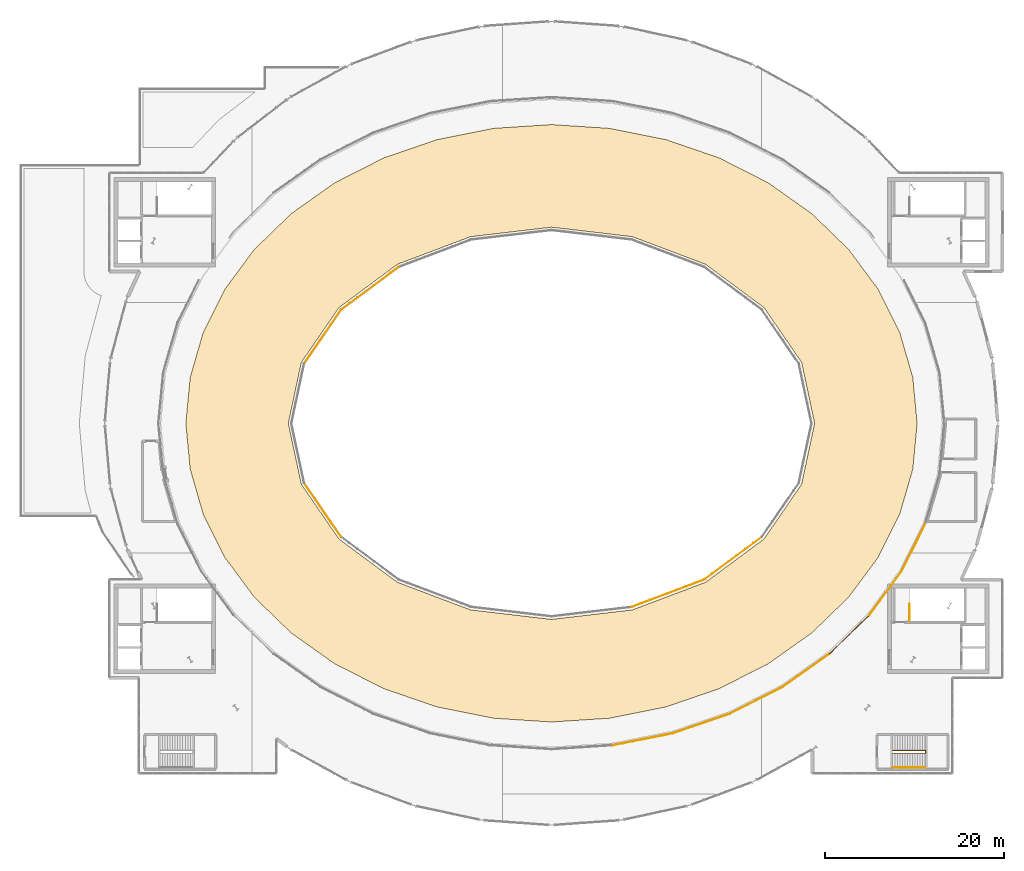
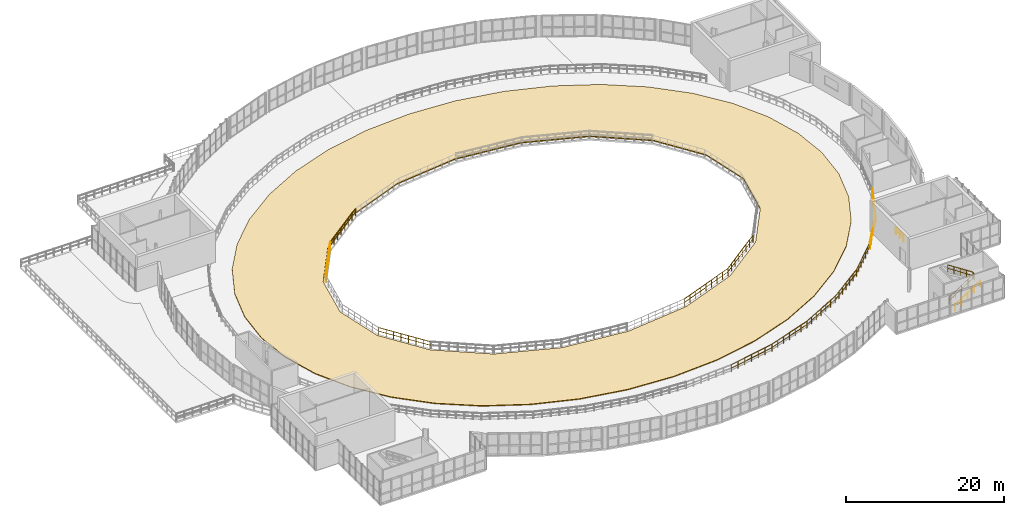
# One storey, part 37 of 40: 15 railings, 1 covering.
"""IFC4 building model written with IfcOpenShell, lengths in metres."""

from ifc_helpers import new_model, si_unit, direction, frame, origin, origin_2d, place, context, subcontext, project, spatial, polyline, circle, outline, extrude, material, layer, layer_set, type_object, element, save


model = new_model("IFC4")

# Units and contexts
model_context = context("Model", 3, precision=1e-05, world=origin(), true_north=direction((0.0, 1.0)))
body_context = subcontext(model_context, "Body", "Model", "MODEL_VIEW")
ifc_project = project(units=[si_unit("LENGTHUNIT", "METRE"), si_unit("AREAUNIT", "SQUARE_METRE"), si_unit("VOLUMEUNIT", "CUBIC_METRE"), si_unit("PLANEANGLEUNIT", "RADIAN"), si_unit("MASSUNIT", "GRAM", prefix="KILO")], contexts=[model_context])

# Site, building, storey
site_placement = place(None, origin())
site = spatial("IfcSite", under=ifc_project, at=site_placement, CompositionType="ELEMENT")
building_placement = place(site_placement, origin())
building = spatial("IfcBuilding", under=site, at=building_placement, Name="Glasvene Arena", CompositionType="ELEMENT")
storey_placement = place(building_placement, frame((0.0, 0.0, 24.0)))
storey = spatial("IfcBuildingStorey", under=building, at=storey_placement, Name="L05", CompositionType="ELEMENT", Elevation=24.0)

# Covering
ifc_material_1 = material(Name="Planted sedum green roof substrate")
ifc_layer = layer(ifc_material_1, 0.1201171875)
ifc_layer_set = layer_set([ifc_layer], Name="Planted sedum green roof substrate")
covering_type = type_object("IfcCoveringType", Name="COV-ROOF-SEDUM", PredefinedType="ROOFING", material=ifc_layer_set)
covering_placement = place(storey_placement, frame((92.0, 73.0, 0.0)))
element("IfcCovering", 1, at=covering_placement, inside=storey, type_object=covering_type, Name="Planted limestone terrace sedum bed TR-L05-STEP4-1-09", PredefinedType="ROOFING", context=body_context, shape_type="SweptSolid", body=[
    extrude(outline(polyline([(40.937255859375, 0.0), (40.44873046875, -5.142578125), (38.990966796875, -10.17529296875), (36.58740234375, -14.984375), (33.282470703125, -19.4541015625), (29.144775390625, -23.468994140625), (24.2685546875, -26.920654296875), (18.771484375, -29.71240234375), (12.790771484375, -31.765625), (6.4794921875, -33.021240234375), (0.0, -33.44384765625), (-6.4794921875, -33.021240234375), (-12.790771484375, -31.765625), (-18.771484375, -29.71240234375), (-24.2685546875, -26.920654296875), (-29.144775390625, -23.468994140625), (-33.282470703125, -19.4541015625), (-36.58740234375, -14.984375), (-38.990966796875, -10.17529296875), (-40.44873046875, -5.142578125), (-40.937255859375, 0.0), (-40.44873046875, 5.142578125), (-38.990966796875, 10.17529296875), (-36.58740234375, 14.984375), (-33.282470703125, 19.4541015625), (-29.144775390625, 23.468994140625), (-24.2685546875, 26.920654296875), (-18.771484375, 29.71240234375), (-12.790771484375, 31.765625), (-6.4794921875, 33.021240234375), (0.0, 33.44384765625), (6.4794921875, 33.021240234375), (12.790771484375, 31.765625), (18.771484375, 29.71240234375), (24.2685546875, 26.920654296875), (29.144775390625, 23.468994140625), (33.282470703125, 19.4541015625), (36.58740234375, 14.984375), (38.990966796875, 10.17529296875), (40.44873046875, 5.142578125), (40.937255859375, 0.0)]), holes=[polyline([(17.313720703125, 17.75537109375), (17.279296875, 17.778564453125), (17.242919921875, 17.79833984375), (17.204833984375, 17.81494140625), (9.12060546875, 20.86865234375), (9.068115234375, 20.885009765625), (9.013916015625, 20.89453125), (0.052490234375, 21.947021484375), (0.0, 21.949951171875), (-0.052490234375, 21.947021484375), (-9.013916015625, 20.89453125), (-9.068115234375, 20.885009765625), (-9.12060546875, 20.86865234375), (-17.204833984375, 17.81494140625), (-17.242919921875, 17.79833984375), (-17.279296875, 17.778564453125), (-17.313720703125, 17.75537109375), (-23.7294921875, 12.998779296875), (-23.767578125, 12.96728515625), (-23.802001953125, 12.931396484375), (-23.83251953125, 12.892333984375), (-27.951416015625, 6.898681640625), (-27.974609375, 6.861328125), (-27.993896484375, 6.82177734375), (-28.009521484375, 6.780517578125), (-28.020751953125, 6.73779296875), (-29.440185546875, 0.093994140625), (-29.447509765625, 0.04736328125), (-29.449951171875, 0.0), (-29.447509765625, -0.04736328125), (-29.440185546875, -0.093994140625), (-28.020751953125, -6.73779296875), (-28.009521484375, -6.780517578125), (-27.993896484375, -6.82177734375), (-27.974609375, -6.861328125), (-27.951416015625, -6.898681640625), (-23.83251953125, -12.892333984375), (-23.802001953125, -12.931396484375), (-23.767578125, -12.96728515625), (-23.7294921875, -12.998779296875), (-17.313720703125, -17.75537109375), (-17.279296875, -17.778564453125), (-17.242919921875, -17.79833984375), (-17.204833984375, -17.81494140625), (-9.12060546875, -20.86865234375), (-9.068115234375, -20.885009765625), (-9.013916015625, -20.89453125), (-0.052490234375, -21.947021484375), (0.0, -21.949951171875), (0.052490234375, -21.947021484375), (9.013916015625, -20.89453125), (9.068115234375, -20.885009765625), (9.12060546875, -20.86865234375), (17.204833984375, -17.81494140625), (17.242919921875, -17.79833984375), (17.279296875, -17.778564453125), (17.313720703125, -17.75537109375), (23.7294921875, -12.998779296875), (23.767578125, -12.96728515625), (23.802001953125, -12.931396484375), (23.83251953125, -12.892333984375), (27.951416015625, -6.898681640625), (27.974609375, -6.861328125), (27.993896484375, -6.82177734375), (28.009521484375, -6.780517578125), (28.020751953125, -6.73779296875), (29.440185546875, -0.093994140625), (29.447509765625, -0.04736328125), (29.449951171875, 0.0), (29.447509765625, 0.04736328125), (29.440185546875, 0.093994140625), (28.020751953125, 6.73779296875), (28.009521484375, 6.780517578125), (27.993896484375, 6.82177734375), (27.974609375, 6.861328125), (27.951416015625, 6.898681640625), (23.83251953125, 12.892333984375), (23.802001953125, 12.931396484375), (23.767578125, 12.96728515625), (23.7294921875, 12.998779296875), (17.313720703125, 17.75537109375)])]), origin(), (0.0, 0.0, 1.0), 0.1201171875),
])

# Railings
ifc_material_2 = material(Name="Brushed stainless steel", Category="steel")
railing_type_1 = type_object("IfcRailingType", Name="RL-GUARD-1100", PredefinedType="GUARDRAIL", material=ifc_material_2)
railing_1_placement = place(storey_placement, frame((132.10009765625, 50.85009765625, 0.0)))
element("IfcRailing", 2, at=railing_1_placement, inside=storey, type_object=railing_type_1, Name="Stair top landing well guard ST-04", PredefinedType="GUARDRAIL", context=body_context, shape_type="SweptSolid", body=[
    extrude(circle(Radius=0.02392578125, at=origin_2d()), frame((0.0, 0.0, 1.076171875), z_axis=(0.0, 1.0, 0.0), x_axis=(-1.0, 0.0, 0.0)), (0.0, 0.0, 1.0), 1.949951171875),
    extrude(circle(Radius=0.01611328125, at=origin_2d()), frame((0.0, 0.0, 0.550048828125), z_axis=(0.0, 1.0, 0.0), x_axis=(-1.0, 0.0, 0.0)), (0.0, 0.0, 1.0), 1.949951171875),
    extrude(circle(Radius=0.02099609375, at=origin_2d()), origin(), (0.0, 0.0, 1.0), 1.052001953125),
    extrude(circle(Radius=0.02099609375, at=origin_2d()), frame((0.0, 0.97509765625, 0.0)), (0.0, 0.0, 1.0), 1.052001953125),
    extrude(circle(Radius=0.02099609375, at=origin_2d()), frame((0.0, 1.949951171875, 0.0)), (0.0, 0.0, 1.0), 1.052001953125),
])
railing_2_placement = place(storey_placement, frame((130.199951171875, 36.06005859375, 0.0)))
element("IfcRailing", 3, at=railing_2_placement, inside=storey, type_object=railing_type_1, Name="Stair inner well continuous guardrail ST-06-L05", PredefinedType="GUARDRAIL", context=body_context, shape_type="SweptSolid", body=[
    extrude(circle(Radius=0.02392578125, at=origin_2d()), frame((0.0, 0.0, 1.076171875), z_axis=(0.837616124378, 0.0, 0.546259304892), x_axis=(0.0, 1.0, 0.0)), (0.0, 0.0, 1.0), 4.393310546875),
    extrude(circle(Radius=0.01611328125, at=origin_2d()), frame((0.0, 0.0, 0.550048828125), z_axis=(0.837616124378, 0.0, 0.546259304892), x_axis=(0.0, 1.0, 0.0)), (0.0, 0.0, 1.0), 4.393310546875),
    extrude(circle(Radius=0.02392578125, at=origin_2d()), frame((3.679931640625, 0.0, 3.47607421875), z_axis=(0.0, 1.0, 0.0), x_axis=(-1.0, 0.0, 0.0)), (0.0, 0.0, 1.0), 0.329833984375),
    extrude(circle(Radius=0.01611328125, at=origin_2d()), frame((3.679931640625, 0.0, 2.949951171875), z_axis=(0.0, 1.0, 0.0), x_axis=(-1.0, 0.0, 0.0)), (0.0, 0.0, 1.0), 0.329833984375),
    extrude(circle(Radius=0.02392578125, at=origin_2d()), frame((3.679931640625, 0.329833984375, 3.47607421875), z_axis=(-0.837590697589, 0.0, 0.546298291515), x_axis=(0.0, -1.0, 0.0)), (0.0, 0.0, 1.0), 4.3935546875),
    extrude(circle(Radius=0.01611328125, at=origin_2d()), frame((3.679931640625, 0.329833984375, 2.949951171875), z_axis=(-0.837590697589, 0.0, 0.546298291515), x_axis=(0.0, -1.0, 0.0)), (0.0, 0.0, 1.0), 4.3935546875),
    extrude(circle(Radius=0.02099609375, at=origin_2d()), origin(), (0.0, 0.0, 1.0), 1.052001953125),
    extrude(circle(Radius=0.02099609375, at=origin_2d()), frame((0.919921875, 0.0, 0.60009765625)), (0.0, 0.0, 1.0), 1.052001953125),
    extrude(circle(Radius=0.02099609375, at=origin_2d()), frame((1.83984375, 0.0, 1.199951171875)), (0.0, 0.0, 1.0), 1.052001953125),
    extrude(circle(Radius=0.02099609375, at=origin_2d()), frame((2.760009765625, 0.0, 1.7998046875)), (0.0, 0.0, 1.0), 1.052001953125),
    extrude(circle(Radius=0.02099609375, at=origin_2d()), frame((3.679931640625, 0.0, 2.39990234375)), (0.0, 0.0, 1.0), 1.052001953125),
    extrude(circle(Radius=0.02099609375, at=origin_2d()), frame((3.679931640625, 0.329833984375, 2.39990234375)), (0.0, 0.0, 1.0), 1.052001953125),
    extrude(circle(Radius=0.02099609375, at=origin_2d()), frame((2.760009765625, 0.329833984375, 3.0)), (0.0, 0.0, 1.0), 1.052001953125),
    extrude(circle(Radius=0.02099609375, at=origin_2d()), frame((1.83984375, 0.329833984375, 3.60009765625)), (0.0, 0.0, 1.0), 1.052001953125),
    extrude(circle(Radius=0.02099609375, at=origin_2d()), frame((0.919921875, 0.329833984375, 4.199951171875)), (0.0, 0.0, 1.0), 1.052001953125),
    extrude(circle(Radius=0.02099609375, at=origin_2d()), frame((0.0, 0.329833984375, 4.800048828125)), (0.0, 0.0, 1.0), 1.052001953125),
])
railing_3_placement = place(storey_placement, frame((98.883056640625, 36.949462890625, 0.0)))
element("IfcRailing", 4, at=railing_3_placement, inside=storey, type_object=railing_type_1, Name="Safety guardrail GD-GND-L05-3-015", PredefinedType="GUARDRAIL", context=body_context, shape_type="SweptSolid", body=[
    extrude(circle(Radius=0.02392578125, at=origin_2d()), frame((0.0, 0.0, 1.076171875), z_axis=(0.980743570612, 0.195299894275, 0.0), x_axis=(-0.195299894275, 0.980743570612, 0.0)), (0.0, 0.0, 1.0), 6.845458984375),
    extrude(circle(Radius=0.01611328125, at=origin_2d()), frame((0.0, 0.0, 0.550048828125), z_axis=(0.980743570612, 0.195299894275, 0.0), x_axis=(-0.195299894275, 0.980743570612, 0.0)), (0.0, 0.0, 1.0), 6.845458984375),
    extrude(circle(Radius=0.02099609375, at=origin_2d()), origin(), (0.0, 0.0, 1.0), 1.052001953125),
    extrude(circle(Radius=0.02099609375, at=origin_2d()), frame((1.118896484375, 0.222900390625, 0.0)), (0.0, 0.0, 1.0), 1.052001953125),
    extrude(circle(Radius=0.02099609375, at=origin_2d()), frame((2.23779296875, 0.445556640625, 0.0)), (0.0, 0.0, 1.0), 1.052001953125),
    extrude(circle(Radius=0.02099609375, at=origin_2d()), frame((3.35693359375, 0.66845703125, 0.0)), (0.0, 0.0, 1.0), 1.052001953125),
    extrude(circle(Radius=0.02099609375, at=origin_2d()), frame((4.475830078125, 0.891357421875, 0.0)), (0.0, 0.0, 1.0), 1.052001953125),
    extrude(circle(Radius=0.02099609375, at=origin_2d()), frame((5.5947265625, 1.114013671875, 0.0)), (0.0, 0.0, 1.0), 1.052001953125),
    extrude(circle(Radius=0.02099609375, at=origin_2d()), frame((6.713623046875, 1.3369140625, 0.0)), (0.0, 0.0, 1.0), 1.052001953125),
])
railing_4_placement = place(storey_placement, frame((105.5966796875, 38.286376953125, 0.0)))
element("IfcRailing", 5, at=railing_4_placement, inside=storey, type_object=railing_type_1, Name="Safety guardrail GD-GND-L05-3-016", PredefinedType="GUARDRAIL", context=body_context, shape_type="SweptSolid", body=[
    extrude(circle(Radius=0.02392578125, at=origin_2d()), frame((0.0, 0.0, 1.076171875), z_axis=(0.945725538636, 0.324966468381, 0.0), x_axis=(-0.324966468381, 0.945725538636, 0.0)), (0.0, 0.0, 1.0), 6.744873046875),
    extrude(circle(Radius=0.01611328125, at=origin_2d()), frame((0.0, 0.0, 0.550048828125), z_axis=(0.945725538636, 0.324966468381, 0.0), x_axis=(-0.324966468381, 0.945725538636, 0.0)), (0.0, 0.0, 1.0), 6.744873046875),
    extrude(circle(Radius=0.02099609375, at=origin_2d()), origin(), (0.0, 0.0, 1.0), 1.052001953125),
    extrude(circle(Radius=0.02099609375, at=origin_2d()), frame((1.063232421875, 0.365234375, 0.0)), (0.0, 0.0, 1.0), 1.052001953125),
    extrude(circle(Radius=0.02099609375, at=origin_2d()), frame((2.126220703125, 0.730712890625, 0.0)), (0.0, 0.0, 1.0), 1.052001953125),
    extrude(circle(Radius=0.02099609375, at=origin_2d()), frame((3.189453125, 1.095947265625, 0.0)), (0.0, 0.0, 1.0), 1.052001953125),
    extrude(circle(Radius=0.02099609375, at=origin_2d()), frame((4.252685546875, 1.461181640625, 0.0)), (0.0, 0.0, 1.0), 1.052001953125),
    extrude(circle(Radius=0.02099609375, at=origin_2d()), frame((5.315673828125, 1.82666015625, 0.0)), (0.0, 0.0, 1.0), 1.052001953125),
    extrude(circle(Radius=0.02099609375, at=origin_2d()), frame((6.37890625, 2.19189453125, 0.0)), (0.0, 0.0, 1.0), 1.052001953125),
])
railing_5_placement = place(storey_placement, frame((111.9755859375, 40.478271484375, 0.0)))
element("IfcRailing", 6, at=railing_5_placement, inside=storey, type_object=railing_type_1, Name="Safety guardrail GD-GND-L05-3-017", PredefinedType="GUARDRAIL", context=body_context, shape_type="SweptSolid", body=[
    extrude(circle(Radius=0.02392578125, at=origin_2d()), frame((0.0, 0.0, 1.076171875), z_axis=(0.891427655965, 0.453163032672, 0.0), x_axis=(-0.453163032672, 0.891427655965, 0.0)), (0.0, 0.0, 1.0), 6.60400390625),
    extrude(circle(Radius=0.01611328125, at=origin_2d()), frame((0.0, 0.0, 0.550048828125), z_axis=(0.891427655965, 0.453163032672, 0.0), x_axis=(-0.453163032672, 0.891427655965, 0.0)), (0.0, 0.0, 1.0), 6.60400390625),
    extrude(circle(Radius=0.02099609375, at=origin_2d()), origin(), (0.0, 0.0, 1.0), 1.052001953125),
    extrude(circle(Radius=0.02099609375, at=origin_2d()), frame((0.981201171875, 0.498779296875, 0.0)), (0.0, 0.0, 1.0), 1.052001953125),
    extrude(circle(Radius=0.02099609375, at=origin_2d()), frame((1.96240234375, 0.99755859375, 0.0)), (0.0, 0.0, 1.0), 1.052001953125),
    extrude(circle(Radius=0.02099609375, at=origin_2d()), frame((2.943359375, 1.496337890625, 0.0)), (0.0, 0.0, 1.0), 1.052001953125),
    extrude(circle(Radius=0.02099609375, at=origin_2d()), frame((3.924560546875, 1.9951171875, 0.0)), (0.0, 0.0, 1.0), 1.052001953125),
    extrude(circle(Radius=0.02099609375, at=origin_2d()), frame((4.90576171875, 2.493896484375, 0.0)), (0.0, 0.0, 1.0), 1.052001953125),
    extrude(circle(Radius=0.02099609375, at=origin_2d()), frame((5.886962890625, 2.99267578125, 0.0)), (0.0, 0.0, 1.0), 1.052001953125),
])
railing_6_placement = place(storey_placement, frame((117.862548828125, 43.470947265625, 0.0)))
element("IfcRailing", 7, at=railing_6_placement, inside=storey, type_object=railing_type_1, Name="Safety guardrail GD-GND-L05-3-018", PredefinedType="GUARDRAIL", context=body_context, shape_type="SweptSolid", body=[
    extrude(circle(Radius=0.02392578125, at=origin_2d()), frame((0.0, 0.0, 1.076171875), z_axis=(0.81596556642, 0.578100505463, 0.0), x_axis=(-0.578100505463, 0.81596556642, 0.0)), (0.0, 0.0, 1.0), 6.434326171875),
    extrude(circle(Radius=0.01611328125, at=origin_2d()), frame((0.0, 0.0, 0.550048828125), z_axis=(0.81596556642, 0.578100505463, 0.0), x_axis=(-0.578100505463, 0.81596556642, 0.0)), (0.0, 0.0, 1.0), 6.434326171875),
    extrude(circle(Radius=0.02099609375, at=origin_2d()), origin(), (0.0, 0.0, 1.0), 1.052001953125),
    extrude(circle(Radius=0.02099609375, at=origin_2d()), frame((0.875, 0.619873046875, 0.0)), (0.0, 0.0, 1.0), 1.052001953125),
    extrude(circle(Radius=0.02099609375, at=origin_2d()), frame((1.75, 1.239990234375, 0.0)), (0.0, 0.0, 1.0), 1.052001953125),
    extrude(circle(Radius=0.02099609375, at=origin_2d()), frame((2.625, 1.85986328125, 0.0)), (0.0, 0.0, 1.0), 1.052001953125),
    extrude(circle(Radius=0.02099609375, at=origin_2d()), frame((3.500244140625, 2.479736328125, 0.0)), (0.0, 0.0, 1.0), 1.052001953125),
    extrude(circle(Radius=0.02099609375, at=origin_2d()), frame((4.375244140625, 3.099853515625, 0.0)), (0.0, 0.0, 1.0), 1.052001953125),
    extrude(circle(Radius=0.02099609375, at=origin_2d()), frame((5.250244140625, 3.7197265625, 0.0)), (0.0, 0.0, 1.0), 1.052001953125),
])
railing_7_placement = place(storey_placement, frame((123.11279296875, 47.190673828125, 0.0)))
element("IfcRailing", 8, at=railing_7_placement, inside=storey, type_object=railing_type_1, Name="Safety guardrail GD-GND-L05-3-019", PredefinedType="GUARDRAIL", context=body_context, shape_type="SweptSolid", body=[
    extrude(circle(Radius=0.02392578125, at=origin_2d()), frame((0.0, 0.0, 1.076171875), z_axis=(0.717323439685, 0.69674032672, 0.0), x_axis=(-0.69674032672, 0.717323439685, 0.0)), (0.0, 0.0, 1.0), 6.2509765625),
    extrude(circle(Radius=0.01611328125, at=origin_2d()), frame((0.0, 0.0, 0.550048828125), z_axis=(0.717323439685, 0.69674032672, 0.0), x_axis=(-0.69674032672, 0.717323439685, 0.0)), (0.0, 0.0, 1.0), 6.2509765625),
    extrude(circle(Radius=0.02099609375, at=origin_2d()), origin(), (0.0, 0.0, 1.0), 1.052001953125),
    extrude(circle(Radius=0.02099609375, at=origin_2d()), frame((0.747314453125, 0.725830078125, 0.0)), (0.0, 0.0, 1.0), 1.052001953125),
    extrude(circle(Radius=0.02099609375, at=origin_2d()), frame((1.49462890625, 1.45166015625, 0.0)), (0.0, 0.0, 1.0), 1.052001953125),
    extrude(circle(Radius=0.02099609375, at=origin_2d()), frame((2.241943359375, 2.177734375, 0.0)), (0.0, 0.0, 1.0), 1.052001953125),
    extrude(circle(Radius=0.02099609375, at=origin_2d()), frame((2.9892578125, 2.903564453125, 0.0)), (0.0, 0.0, 1.0), 1.052001953125),
    extrude(circle(Radius=0.02099609375, at=origin_2d()), frame((3.736572265625, 3.62939453125, 0.0)), (0.0, 0.0, 1.0), 1.052001953125),
    extrude(circle(Radius=0.02099609375, at=origin_2d()), frame((4.48388671875, 4.355224609375, 0.0)), (0.0, 0.0, 1.0), 1.052001953125),
])
railing_8_placement = place(storey_placement, frame((127.5966796875, 51.5458984375, 0.0)))
element("IfcRailing", 9, at=railing_8_placement, inside=storey, type_object=railing_type_1, Name="Safety guardrail GD-GND-L05-3-020", PredefinedType="GUARDRAIL", context=body_context, shape_type="SweptSolid", body=[
    extrude(circle(Radius=0.02392578125, at=origin_2d()), frame((0.0, 0.0, 1.076171875), z_axis=(0.594206750521, 0.804312338358, 0.0), x_axis=(-0.804312338358, 0.594206750521, 0.0)), (0.0, 0.0, 1.0), 6.0712890625),
    extrude(circle(Radius=0.01611328125, at=origin_2d()), frame((0.0, 0.0, 0.550048828125), z_axis=(0.594206750521, 0.804312338358, 0.0), x_axis=(-0.804312338358, 0.594206750521, 0.0)), (0.0, 0.0, 1.0), 6.0712890625),
    extrude(circle(Radius=0.02099609375, at=origin_2d()), origin(), (0.0, 0.0, 1.0), 1.052001953125),
    extrude(circle(Radius=0.02099609375, at=origin_2d()), frame((0.601318359375, 0.81396484375, 0.0)), (0.0, 0.0, 1.0), 1.052001953125),
    extrude(circle(Radius=0.02099609375, at=origin_2d()), frame((1.20263671875, 1.627685546875, 0.0)), (0.0, 0.0, 1.0), 1.052001953125),
    extrude(circle(Radius=0.02099609375, at=origin_2d()), frame((1.8037109375, 2.441650390625, 0.0)), (0.0, 0.0, 1.0), 1.052001953125),
    extrude(circle(Radius=0.02099609375, at=origin_2d()), frame((2.405029296875, 3.255615234375, 0.0)), (0.0, 0.0, 1.0), 1.052001953125),
    extrude(circle(Radius=0.02099609375, at=origin_2d()), frame((3.00634765625, 4.0693359375, 0.0)), (0.0, 0.0, 1.0), 1.052001953125),
    extrude(circle(Radius=0.02099609375, at=origin_2d()), frame((3.607666015625, 4.88330078125, 0.0)), (0.0, 0.0, 1.0), 1.052001953125),
])
railing_9_placement = place(storey_placement, frame((131.204345703125, 56.42919921875, 0.0)))
element("IfcRailing", 10, at=railing_9_placement, inside=storey, type_object=railing_type_1, Name="Safety guardrail GD-GND-L05-3-021", PredefinedType="GUARDRAIL", context=body_context, shape_type="SweptSolid", body=[
    extrude(circle(Radius=0.02392578125, at=origin_2d()), frame((0.0, 0.0, 1.076171875), z_axis=(0.446701685194, 0.894682963091, 0.0), x_axis=(-0.894682963091, 0.446701685194, 0.0)), (0.0, 0.0, 1.0), 5.91455078125),
    extrude(circle(Radius=0.01611328125, at=origin_2d()), frame((0.0, 0.0, 0.550048828125), z_axis=(0.446701685194, 0.894682963091, 0.0), x_axis=(-0.894682963091, 0.446701685194, 0.0)), (0.0, 0.0, 1.0), 5.91455078125),
    extrude(circle(Radius=0.02099609375, at=origin_2d()), origin(), (0.0, 0.0, 1.0), 1.052001953125),
    extrude(circle(Radius=0.02099609375, at=origin_2d()), frame((0.5283203125, 1.058349609375, 0.0)), (0.0, 0.0, 1.0), 1.052001953125),
    extrude(circle(Radius=0.02099609375, at=origin_2d()), frame((1.056884765625, 2.11669921875, 0.0)), (0.0, 0.0, 1.0), 1.052001953125),
    extrude(circle(Radius=0.02099609375, at=origin_2d()), frame((1.585205078125, 3.175048828125, 0.0)), (0.0, 0.0, 1.0), 1.052001953125),
    extrude(circle(Radius=0.02099609375, at=origin_2d()), frame((2.11376953125, 4.2333984375, 0.0)), (0.0, 0.0, 1.0), 1.052001953125),
    extrude(circle(Radius=0.02099609375, at=origin_2d()), frame((2.64208984375, 5.291748046875, 0.0)), (0.0, 0.0, 1.0), 1.052001953125),
])
ifc_material_3 = material(Name="Warm bronze architectural aluminium", Category="aluminium")
railing_type_2 = type_object("IfcRailingType", Name="RL-GUARD-EXT-1150", PredefinedType="GUARDRAIL", material=ifc_material_3)
railing_10_placement = place(storey_placement, frame((74.8828125, 90.490234375, 0.0)))
element("IfcRailing", 11, at=railing_10_placement, inside=storey, type_object=railing_type_2, Name="Safety guardrail GD-TER-L05-TR-L05-STEP4-1-01-006", PredefinedType="GUARDRAIL", context=body_context, shape_type="SweptSolid", body=[
    extrude(circle(Radius=0.02392578125, at=origin_2d()), frame((0.0, 0.0, 1.1259765625), z_axis=(-0.803322109708, -0.595544782577, 0.0), x_axis=(0.595544782577, -0.803322109708, 0.0)), (0.0, 0.0, 1.0), 7.986572265625),
    extrude(circle(Radius=0.01611328125, at=origin_2d()), frame((0.0, 0.0, 0.574951171875), z_axis=(-0.803322109708, -0.595544782577, 0.0), x_axis=(0.595544782577, -0.803322109708, 0.0)), (0.0, 0.0, 1.0), 7.986572265625),
    extrude(circle(Radius=0.02099609375, at=origin_2d()), origin(), (0.0, 0.0, 1.0), 1.101806640625),
    extrude(circle(Radius=0.02099609375, at=origin_2d()), frame((-0.91650390625, -0.679443359375, 0.0)), (0.0, 0.0, 1.0), 1.101806640625),
    extrude(circle(Radius=0.02099609375, at=origin_2d()), frame((-1.8330078125, -1.35888671875, 0.0)), (0.0, 0.0, 1.0), 1.101806640625),
    extrude(circle(Radius=0.02099609375, at=origin_2d()), frame((-2.74951171875, -2.038330078125, 0.0)), (0.0, 0.0, 1.0), 1.101806640625),
    extrude(circle(Radius=0.02099609375, at=origin_2d()), frame((-3.666259765625, -2.718017578125, 0.0)), (0.0, 0.0, 1.0), 1.101806640625),
    extrude(circle(Radius=0.02099609375, at=origin_2d()), frame((-4.582763671875, -3.3974609375, 0.0)), (0.0, 0.0, 1.0), 1.101806640625),
    extrude(circle(Radius=0.02099609375, at=origin_2d()), frame((-5.499267578125, -4.076904296875, 0.0)), (0.0, 0.0, 1.0), 1.101806640625),
    extrude(circle(Radius=0.02099609375, at=origin_2d()), frame((-6.415771484375, -4.75634765625, 0.0)), (0.0, 0.0, 1.0), 1.101806640625),
])
railing_11_placement = place(storey_placement, frame((68.439697265625, 85.705322265625, 0.0)))
element("IfcRailing", 12, at=railing_11_placement, inside=storey, type_object=railing_type_2, Name="Safety guardrail GD-TER-L05-TR-L05-STEP4-1-01-007", PredefinedType="GUARDRAIL", context=body_context, shape_type="SweptSolid", body=[
    extrude(circle(Radius=0.02392578125, at=origin_2d()), frame((0.0, 0.0, 1.1259765625), z_axis=(-0.566404863121, -0.824127132809, 0.0), x_axis=(0.824127132809, -0.566404863121, 0.0)), (0.0, 0.0, 1.0), 7.2724609375),
    extrude(circle(Radius=0.01611328125, at=origin_2d()), frame((0.0, 0.0, 0.574951171875), z_axis=(-0.566404863121, -0.824127132809, 0.0), x_axis=(0.824127132809, -0.566404863121, 0.0)), (0.0, 0.0, 1.0), 7.2724609375),
    extrude(circle(Radius=0.02099609375, at=origin_2d()), origin(), (0.0, 0.0, 1.0), 1.101806640625),
    extrude(circle(Radius=0.02099609375, at=origin_2d()), frame((-0.58837890625, -0.856201171875, 0.0)), (0.0, 0.0, 1.0), 1.101806640625),
    extrude(circle(Radius=0.02099609375, at=origin_2d()), frame((-1.177001953125, -1.71240234375, 0.0)), (0.0, 0.0, 1.0), 1.101806640625),
    extrude(circle(Radius=0.02099609375, at=origin_2d()), frame((-1.765380859375, -2.568603515625, 0.0)), (0.0, 0.0, 1.0), 1.101806640625),
    extrude(circle(Radius=0.02099609375, at=origin_2d()), frame((-2.353759765625, -3.4248046875, 0.0)), (0.0, 0.0, 1.0), 1.101806640625),
    extrude(circle(Radius=0.02099609375, at=origin_2d()), frame((-2.942138671875, -4.281005859375, 0.0)), (0.0, 0.0, 1.0), 1.101806640625),
    extrude(circle(Radius=0.02099609375, at=origin_2d()), frame((-3.53076171875, -5.13720703125, 0.0)), (0.0, 0.0, 1.0), 1.101806640625),
    extrude(circle(Radius=0.02099609375, at=origin_2d()), frame((-4.119140625, -5.993408203125, 0.0)), (0.0, 0.0, 1.0), 1.101806640625),
])
railing_12_placement = place(storey_placement, frame((64.320556640625, 66.2880859375, 0.0)))
element("IfcRailing", 13, at=railing_12_placement, inside=storey, type_object=railing_type_2, Name="Safety guardrail GD-TER-L05-TR-L05-STEP4-1-01-010", PredefinedType="GUARDRAIL", context=body_context, shape_type="SweptSolid", body=[
    extrude(circle(Radius=0.02392578125, at=origin_2d()), frame((0.0, 0.0, 1.1259765625), z_axis=(0.566404863121, -0.824127132809, 0.0), x_axis=(0.824127132809, 0.566404863121, 0.0)), (0.0, 0.0, 1.0), 7.2724609375),
    extrude(circle(Radius=0.01611328125, at=origin_2d()), frame((0.0, 0.0, 0.574951171875), z_axis=(0.566404863121, -0.824127132809, 0.0), x_axis=(0.824127132809, 0.566404863121, 0.0)), (0.0, 0.0, 1.0), 7.2724609375),
    extrude(circle(Radius=0.02099609375, at=origin_2d()), origin(), (0.0, 0.0, 1.0), 1.101806640625),
    extrude(circle(Radius=0.02099609375, at=origin_2d()), frame((0.58837890625, -0.856201171875, 0.0)), (0.0, 0.0, 1.0), 1.101806640625),
    extrude(circle(Radius=0.02099609375, at=origin_2d()), frame((1.177001953125, -1.71240234375, 0.0)), (0.0, 0.0, 1.0), 1.101806640625),
    extrude(circle(Radius=0.02099609375, at=origin_2d()), frame((1.765380859375, -2.568603515625, 0.0)), (0.0, 0.0, 1.0), 1.101806640625),
    extrude(circle(Radius=0.02099609375, at=origin_2d()), frame((2.353759765625, -3.4248046875, 0.0)), (0.0, 0.0, 1.0), 1.101806640625),
    extrude(circle(Radius=0.02099609375, at=origin_2d()), frame((2.942138671875, -4.281005859375, 0.0)), (0.0, 0.0, 1.0), 1.101806640625),
    extrude(circle(Radius=0.02099609375, at=origin_2d()), frame((3.53076171875, -5.13720703125, 0.0)), (0.0, 0.0, 1.0), 1.101806640625),
    extrude(circle(Radius=0.02099609375, at=origin_2d()), frame((4.119140625, -5.993408203125, 0.0)), (0.0, 0.0, 1.0), 1.101806640625),
])
railing_13_placement = place(storey_placement, frame((101.00390625, 52.43994140625, 0.0)))
element("IfcRailing", 14, at=railing_13_placement, inside=storey, type_object=railing_type_2, Name="Safety guardrail GD-TER-L05-TR-L05-STEP4-1-01-015", PredefinedType="GUARDRAIL", context=body_context, shape_type="SweptSolid", body=[
    extrude(circle(Radius=0.02392578125, at=origin_2d()), frame((0.0, 0.0, 1.1259765625), z_axis=(0.9354754144, 0.353391778417, 0.0), x_axis=(-0.353391778417, 0.9354754144, 0.0)), (0.0, 0.0, 1.0), 8.641845703125),
    extrude(circle(Radius=0.01611328125, at=origin_2d()), frame((0.0, 0.0, 0.574951171875), z_axis=(0.9354754144, 0.353391778417, 0.0), x_axis=(-0.353391778417, 0.9354754144, 0.0)), (0.0, 0.0, 1.0), 8.641845703125),
    extrude(circle(Radius=0.02099609375, at=origin_2d()), origin(), (0.0, 0.0, 1.0), 1.101806640625),
    extrude(circle(Radius=0.02099609375, at=origin_2d()), frame((1.010498046875, 0.3818359375, 0.0)), (0.0, 0.0, 1.0), 1.101806640625),
    extrude(circle(Radius=0.02099609375, at=origin_2d()), frame((2.02099609375, 0.763427734375, 0.0)), (0.0, 0.0, 1.0), 1.101806640625),
    extrude(circle(Radius=0.02099609375, at=origin_2d()), frame((3.031494140625, 1.145263671875, 0.0)), (0.0, 0.0, 1.0), 1.101806640625),
    extrude(circle(Radius=0.02099609375, at=origin_2d()), frame((4.0419921875, 1.52685546875, 0.0)), (0.0, 0.0, 1.0), 1.101806640625),
    extrude(circle(Radius=0.02099609375, at=origin_2d()), frame((5.052734375, 1.90869140625, 0.0)), (0.0, 0.0, 1.0), 1.101806640625),
    extrude(circle(Radius=0.02099609375, at=origin_2d()), frame((6.063232421875, 2.29052734375, 0.0)), (0.0, 0.0, 1.0), 1.101806640625),
    extrude(circle(Radius=0.02099609375, at=origin_2d()), frame((7.07373046875, 2.672119140625, 0.0)), (0.0, 0.0, 1.0), 1.101806640625),
    extrude(circle(Radius=0.02099609375, at=origin_2d()), frame((8.084228515625, 3.053955078125, 0.0)), (0.0, 0.0, 1.0), 1.101806640625),
])
railing_14_placement = place(storey_placement, frame((109.1171875, 55.509765625, 0.0)))
element("IfcRailing", 15, at=railing_14_placement, inside=storey, type_object=railing_type_2, Name="Safety guardrail GD-TER-L05-TR-L05-STEP4-1-01-016", PredefinedType="GUARDRAIL", context=body_context, shape_type="SweptSolid", body=[
    extrude(circle(Radius=0.02392578125, at=origin_2d()), frame((0.0, 0.0, 1.1259765625), z_axis=(0.803322109708, 0.595544782577, 0.0), x_axis=(-0.595544782577, 0.803322109708, 0.0)), (0.0, 0.0, 1.0), 7.986572265625),
    extrude(circle(Radius=0.01611328125, at=origin_2d()), frame((0.0, 0.0, 0.574951171875), z_axis=(0.803322109708, 0.595544782577, 0.0), x_axis=(-0.595544782577, 0.803322109708, 0.0)), (0.0, 0.0, 1.0), 7.986572265625),
    extrude(circle(Radius=0.02099609375, at=origin_2d()), origin(), (0.0, 0.0, 1.0), 1.101806640625),
    extrude(circle(Radius=0.02099609375, at=origin_2d()), frame((0.91650390625, 0.679443359375, 0.0)), (0.0, 0.0, 1.0), 1.101806640625),
    extrude(circle(Radius=0.02099609375, at=origin_2d()), frame((1.8330078125, 1.35888671875, 0.0)), (0.0, 0.0, 1.0), 1.101806640625),
    extrude(circle(Radius=0.02099609375, at=origin_2d()), frame((2.74951171875, 2.038330078125, 0.0)), (0.0, 0.0, 1.0), 1.101806640625),
    extrude(circle(Radius=0.02099609375, at=origin_2d()), frame((3.666259765625, 2.718017578125, 0.0)), (0.0, 0.0, 1.0), 1.101806640625),
    extrude(circle(Radius=0.02099609375, at=origin_2d()), frame((4.582763671875, 3.3974609375, 0.0)), (0.0, 0.0, 1.0), 1.101806640625),
    extrude(circle(Radius=0.02099609375, at=origin_2d()), frame((5.499267578125, 4.076904296875, 0.0)), (0.0, 0.0, 1.0), 1.101806640625),
    extrude(circle(Radius=0.02099609375, at=origin_2d()), frame((6.415771484375, 4.75634765625, 0.0)), (0.0, 0.0, 1.0), 1.101806640625),
])
railing_type_3 = type_object("IfcRailingType", Name="RL-HAND-950", PredefinedType="HANDRAIL", material=ifc_material_2)
railing_15_placement = place(storey_placement, frame((130.199951171875, 34.4599609375, 0.0)))
element("IfcRailing", 16, at=railing_15_placement, inside=storey, type_object=railing_type_3, Name="Stair wall handrail ST-06-L05", PredefinedType="HANDRAIL", context=body_context, shape_type="SweptSolid", body=[
    extrude(circle(Radius=0.02392578125, at=origin_2d()), frame((0.0, 0.0, 0.92578125), z_axis=(0.83488217925, 0.0, 0.55042869363), x_axis=(0.0, 1.0, 0.0)), (0.0, 0.0, 1.0), 4.360107421875),
    extrude(circle(Radius=0.02099609375, at=origin_2d()), origin(), (0.0, 0.0, 1.0), 0.90185546875),
    extrude(circle(Radius=0.02099609375, at=origin_2d()), frame((0.91015625, 0.0, 0.60009765625)), (0.0, 0.0, 1.0), 0.90185546875),
    extrude(circle(Radius=0.02099609375, at=origin_2d()), frame((1.820068359375, 0.0, 1.199951171875)), (0.0, 0.0, 1.0), 0.90185546875),
    extrude(circle(Radius=0.02099609375, at=origin_2d()), frame((2.72998046875, 0.0, 1.7998046875)), (0.0, 0.0, 1.0), 0.90185546875),
    extrude(circle(Radius=0.02099609375, at=origin_2d()), frame((3.64013671875, 0.0, 2.39990234375)), (0.0, 0.0, 1.0), 0.90185546875),
])

save(model, "model.ifc")
